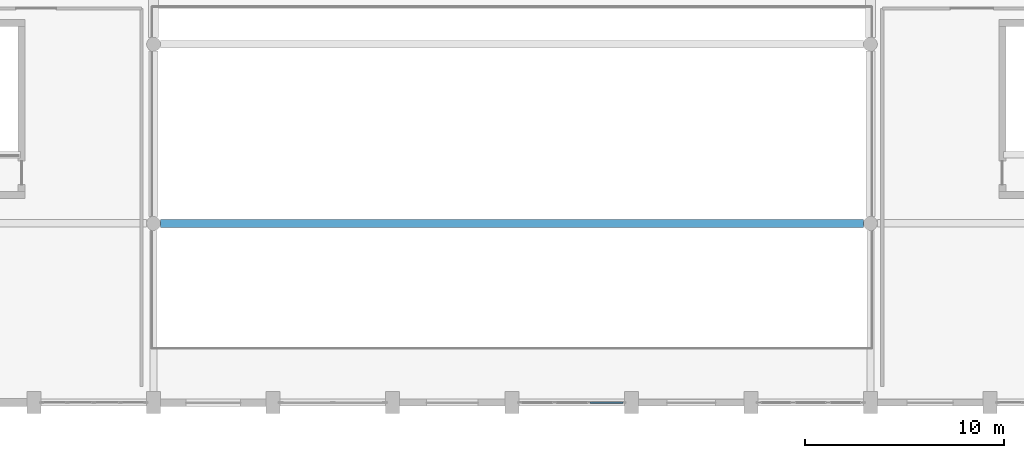
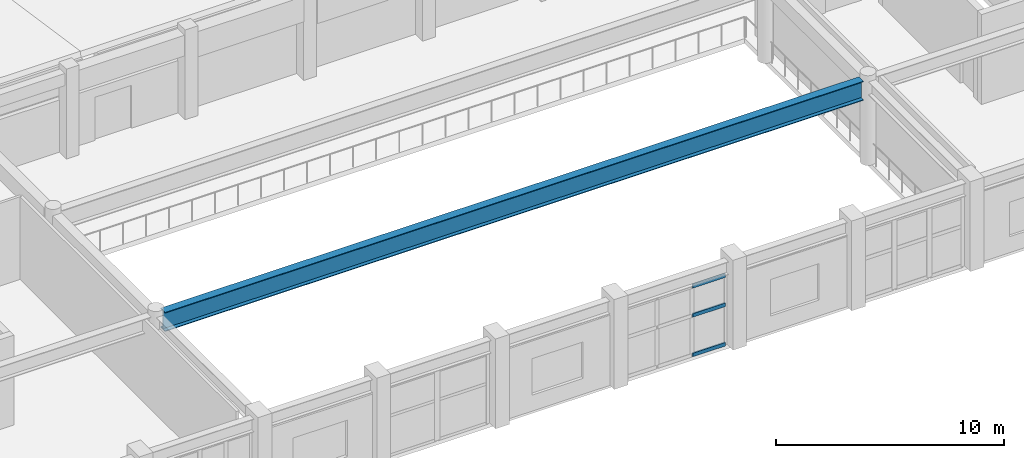
# One storey, part 21 of 80: 3 members, 1 beam, 1 element without a shape of its own.
"""IFC4 building model written with IfcOpenShell, lengths in metres."""

from ifc_helpers import new_model, si_unit, direction, frame, origin, origin_2d, place, context, subcontext, project, spatial, hollow_rectangle, i_section, extrude, material, layer, layer_set, material_profile, profile_set, type_object, element, aggregate, save


model = new_model("IFC4")

# Units and contexts
model_context = context("Model", 3, precision=1e-05, world=origin(), true_north=direction((0.0, 1.0)))
body_context = subcontext(model_context, "Body", "Model", "MODEL_VIEW")
ifc_project = project(units=[si_unit("LENGTHUNIT", "METRE"), si_unit("AREAUNIT", "SQUARE_METRE"), si_unit("VOLUMEUNIT", "CUBIC_METRE"), si_unit("PLANEANGLEUNIT", "RADIAN"), si_unit("MASSUNIT", "GRAM", prefix="KILO")], contexts=[model_context])

# Site, building, storey
site_placement = place(None, origin())
site = spatial("IfcSite", under=ifc_project, at=site_placement, CompositionType="ELEMENT")
building_placement = place(site_placement, origin())
building = spatial("IfcBuilding", under=site, at=building_placement, Name="Vaelkrest Opera House", CompositionType="ELEMENT")
storey_placement = place(building_placement, frame((0.0, 0.0, 15.0)))
storey = spatial("IfcBuildingStorey", under=building, at=storey_placement, Name="L03", CompositionType="ELEMENT", Elevation=15.0)

# Beam
ifc_material_1 = material(Name="Steel A992 Gr50", Category="steel")
ifc_material_profile_1 = material_profile(ifc_material_1, i_section(OverallWidth=0.39990234375, OverallDepth=1.02197265625, WebThickness=0.01904296875, FlangeThickness=0.0361328125, at=origin_2d()), Name="W40X249")
ifc_profile_set_1 = profile_set([ifc_material_profile_1], Name="Steel A992 Gr50")
beam_type = type_object("IfcBeamType", Name="B15", PredefinedType="BEAM", material=ifc_profile_set_1)
beam_placement = place(storey_placement, frame((-17.64990234375, -46.800048828125, 3.993896484375), z_axis=(1.0, 0.0, 0.0), x_axis=(0.0, 1.0, 0.0)))
element("IfcBeam", 1, at=beam_placement, inside=storey, type_object=beam_type, Name="Beam BM-V1-L03-0432", PredefinedType="BEAM", context=body_context, shape_type="SweptSolid", body=[
    extrude(i_section(OverallWidth=0.39990234375, OverallDepth=1.02197265625, WebThickness=0.01904296875, FlangeThickness=0.0361328125, at=origin_2d()), origin(), (0.0, 0.0, 1.0), 35.2998046875),
])

# Curtain wall, members
ifc_material_2 = material(Name="Dark bronze anodized aluminium", Category="aluminium")
ifc_layer = layer(ifc_material_2, 0.22998046875)
ifc_layer_set = layer_set([ifc_layer], Name="Dark bronze anodized aluminium")
curtain_wall_type = type_object("IfcCurtainWallType", Name="CW06", PredefinedType="NOTDEFINED", material=ifc_layer_set)
curtain_wall_placement = place(storey_placement, origin())
curtain_wall = element("IfcCurtainWall", 2, at=curtain_wall_placement, inside=storey, type_object=curtain_wall_type, Name="Curtain wall CW-L03-044", PredefinedType="NOTDEFINED")
ifc_material_profile_2 = material_profile(ifc_material_2, hollow_rectangle(XDim=0.080078125, YDim=0.18994140625, WallThickness=0.0048828125, at=origin_2d()), Name="CWT80X190")
ifc_profile_set_2 = profile_set([ifc_material_profile_2], Name="Dark bronze anodized aluminium")
member_type = type_object("IfcMemberType", Name="CWT04", PredefinedType="USERDEFINED", material=ifc_profile_set_2)
member_1_placement = place(storey_placement, frame((5.58203125, -55.800048828125, 0.0400390625), z_axis=(-1.0, 0.0, 0.0), x_axis=(0.0, -1.0, 0.0)))
member_1 = element("IfcMember", 3, at=member_1_placement, type_object=member_type, Name="CW06 transom 1.1", ObjectType="TRANSOM", PredefinedType="USERDEFINED", context=body_context, shape_type="SweptSolid", body=[
    extrude(hollow_rectangle(XDim=0.080078125, YDim=0.18994140625, WallThickness=0.0048828125, at=origin_2d()), origin(), (0.0, 0.0, 1.0), 1.6630859375),
])
member_2_placement = place(storey_placement, frame((5.58203125, -55.800048828125, 2.14990234375), z_axis=(-1.0, 0.0, 0.0), x_axis=(0.0, -1.0, 0.0)))
member_2 = element("IfcMember", 4, at=member_2_placement, type_object=member_type, Name="CW06 transom 1.2", ObjectType="TRANSOM", PredefinedType="USERDEFINED", context=body_context, shape_type="SweptSolid", body=[
    extrude(hollow_rectangle(XDim=0.080078125, YDim=0.18994140625, WallThickness=0.0048828125, at=origin_2d()), origin(), (0.0, 0.0, 1.0), 1.6630859375),
])
member_3_placement = place(storey_placement, frame((5.58203125, -55.800048828125, 3.705078125), z_axis=(-1.0, 0.0, 0.0), x_axis=(0.0, -1.0, 0.0)))
member_3 = element("IfcMember", 5, at=member_3_placement, type_object=member_type, Name="CW06 transom 1.3", ObjectType="TRANSOM", PredefinedType="USERDEFINED", context=body_context, shape_type="SweptSolid", body=[
    extrude(hollow_rectangle(XDim=0.080078125, YDim=0.18994140625, WallThickness=0.0048828125, at=origin_2d()), origin(), (0.0, 0.0, 1.0), 1.6630859375),
])
aggregate(curtain_wall, [member_1, member_2, member_3])

save(model, "model.ifc")
